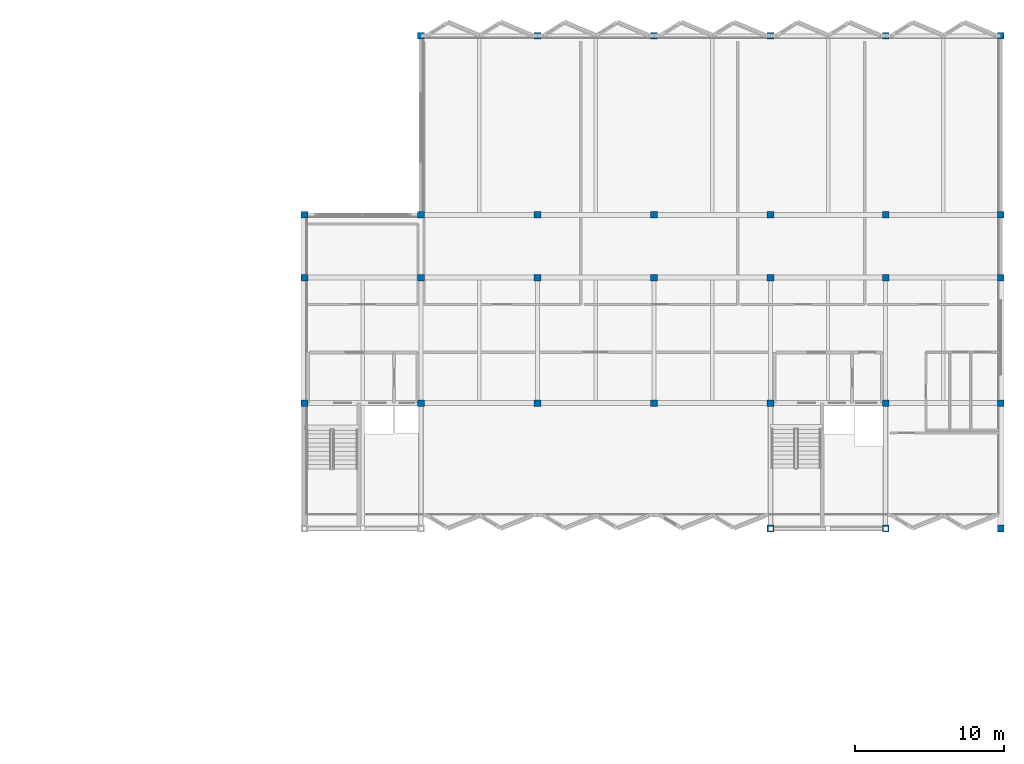
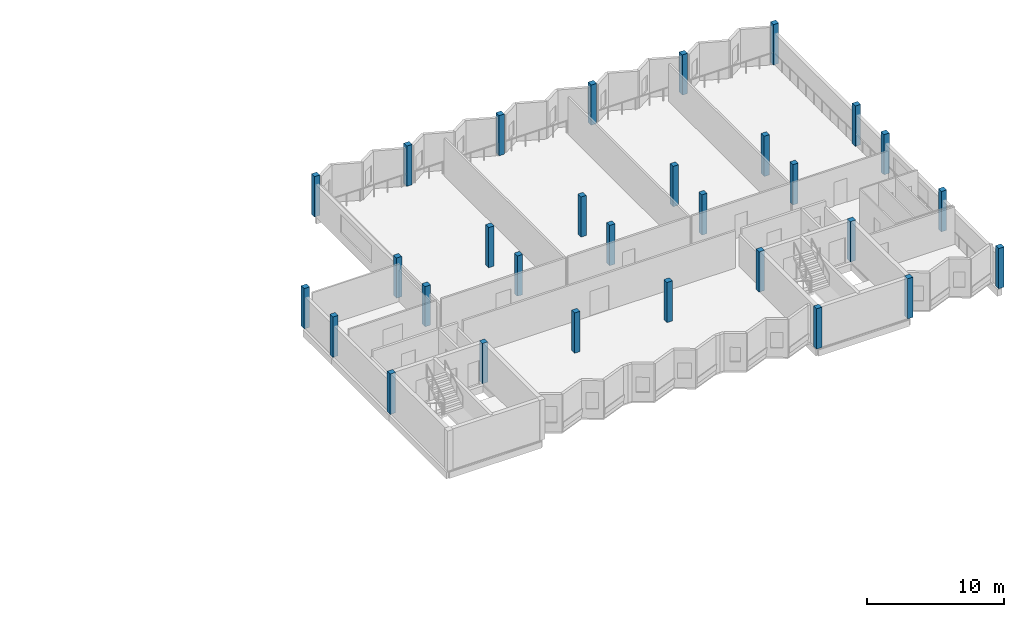
# One storey, part 2 of 25: 30 columns.
"""IFC4 building model written with IfcOpenShell, lengths in metres."""

from ifc_helpers import new_model, si_unit, direction, frame, origin, origin_2d, place, context, subcontext, project, spatial, rectangle, extrude, material, material_profile, profile_set, type_object, element, save


model = new_model("IFC4")

# Units and contexts
model_context = context("Model", 3, precision=1e-05, world=origin(), true_north=direction((0.0, 1.0)))
body_context = subcontext(model_context, "Body", "Model", "MODEL_VIEW")
ifc_project = project(units=[si_unit("LENGTHUNIT", "METRE"), si_unit("AREAUNIT", "SQUARE_METRE"), si_unit("VOLUMEUNIT", "CUBIC_METRE"), si_unit("PLANEANGLEUNIT", "RADIAN"), si_unit("MASSUNIT", "GRAM", prefix="KILO")], contexts=[model_context])

# Site, building, storey
site_placement = place(None, origin())
site = spatial("IfcSite", under=ifc_project, at=site_placement, CompositionType="ELEMENT")
building_placement = place(site_placement, origin())
building = spatial("IfcBuilding", under=site, at=building_placement, Name="Vharandega Faculty of Natural Sciences", CompositionType="ELEMENT")
storey_placement = place(building_placement, frame((0.0, 0.0, 25.199951171875)))
storey = spatial("IfcBuildingStorey", under=building, at=storey_placement, Name="L06", CompositionType="ELEMENT", Elevation=25.199951171875)

# Columns
ifc_material = material(Name="Glulam GL32h", Category="wood")
ifc_material_profile = material_profile(ifc_material, rectangle(XDim=0.449951171875, YDim=0.449951171875, at=origin_2d()), Name="GL32h 450x450")
ifc_profile_set = profile_set([ifc_material_profile], Name="Glulam GL32h")
column_type = type_object("IfcColumnType", Name="Glulam Column 450x450", PredefinedType="COLUMN", material=ifc_profile_set)
for number, where, z_axis, x_axis, name in (
    (1, (114.800048828125, 72.39990234375, 0.0), (0.0, 0.0, 1.0), (1.0, 0.0, 0.0), "Column 15/K L06"),
    (2, (114.800048828125, 80.800048828125, 0.0), (0.0, 0.0, 1.0), (1.0, 0.0, 0.0), "Column 15/L L06"),
    (3, (114.800048828125, 85.0, 0.0), (0.0, 0.0, 1.0), (1.0, 0.0, 0.0), "Column 15/M L06"),
    (4, (122.60009765625, 72.39990234375, 0.0), (0.0, 0.0, 1.0), (1.0, 0.0, 0.0), "Column 16/K L06"),
    (5, (122.60009765625, 80.800048828125, 0.0), (0.0, 0.0, 1.0), (1.0, 0.0, 0.0), "Column 16/L L06"),
    (6, (122.60009765625, 85.0, 0.0), (0.0, 0.0, 1.0), (1.0, 0.0, 0.0), "Column 16/M L06"),
    (7, (122.60009765625, 97.0, 0.0), (0.0, 0.0, 1.0), (1.0, 0.0, 0.0), "Column 16/N L06"),
    (8, (130.39990234375, 72.39990234375, 0.0), (0.0, 0.0, 1.0), (1.0, 0.0, 0.0), "Column 17/K L06"),
    (9, (130.39990234375, 80.800048828125, 0.0), (0.0, 0.0, 1.0), (1.0, 0.0, 0.0), "Column 17/L L06"),
    (10, (130.39990234375, 85.0, 0.0), (0.0, 0.0, 1.0), (1.0, 0.0, 0.0), "Column 17/M L06"),
    (11, (130.39990234375, 97.0, 0.0), (0.0, 0.0, 1.0), (1.0, 0.0, 0.0), "Column 17/N L06"),
    (12, (138.199951171875, 72.39990234375, 0.0), (0.0, 0.0, 1.0), (1.0, 0.0, 0.0), "Column 18/K L06"),
    (13, (138.199951171875, 80.800048828125, 0.0), (0.0, 0.0, 1.0), (1.0, 0.0, 0.0), "Column 18/L L06"),
    (14, (138.199951171875, 85.0, 0.0), (0.0, 0.0, 1.0), (1.0, 0.0, 0.0), "Column 18/M L06"),
    (15, (138.199951171875, 97.0, 0.0), (0.0, 0.0, 1.0), (1.0, 0.0, 0.0), "Column 18/N L06"),
    (16, (146.0, 64.0, 0.0), (0.0, 0.0, 1.0), (1.0, 0.0, 0.0), "Column 19/J L06"),
    (17, (146.0, 72.39990234375, 0.0), (0.0, 0.0, 1.0), (1.0, 0.0, 0.0), "Column 19/K L06"),
    (18, (146.0, 80.800048828125, 0.0), (0.0, 0.0, 1.0), (1.0, 0.0, 0.0), "Column 19/L L06"),
    (19, (146.0, 85.0, 0.0), (0.0, 0.0, 1.0), (1.0, 0.0, 0.0), "Column 19/M L06"),
    (20, (146.0, 97.0, 0.0), (0.0, 0.0, 1.0), (1.0, 0.0, 0.0), "Column 19/N L06"),
    (21, (153.699951171875, 64.0, 0.0), (0.0, 0.0, 1.0), (1.0, 0.0, 0.0), "Column 20/J L06"),
    (22, (153.699951171875, 72.39990234375, 0.0), (0.0, 0.0, 1.0), (1.0, 0.0, 0.0), "Column 20/K L06"),
    (23, (153.699951171875, 80.800048828125, 0.0), (0.0, 0.0, 1.0), (1.0, 0.0, 0.0), "Column 20/L L06"),
    (24, (153.699951171875, 85.0, 0.0), (0.0, 0.0, 1.0), (1.0, 0.0, 0.0), "Column 20/M L06"),
    (25, (153.699951171875, 97.0, 0.0), (0.0, 0.0, 1.0), (1.0, 0.0, 0.0), "Column 20/N L06"),
    (26, (161.39990234375, 64.0, 0.0), (0.0, 0.0, 1.0), (1.0, 0.0, 0.0), "Column 21/J L06"),
    (27, (161.39990234375, 72.39990234375, 0.0), (0.0, 0.0, 1.0), (1.0, 0.0, 0.0), "Column 21/K L06"),
    (28, (161.39990234375, 80.800048828125, 0.0), (0.0, 0.0, 1.0), (1.0, 0.0, 0.0), "Column 21/L L06"),
    (29, (161.39990234375, 85.0, 0.0), (0.0, 0.0, 1.0), (1.0, 0.0, 0.0), "Column 21/M L06"),
    (30, (161.39990234375, 97.0, 0.0), (0.0, 0.0, 1.0), (1.0, 0.0, 0.0), "Column 21/N L06"),
):
    element("IfcColumn", number, at=place(storey_placement, frame(where, z_axis=z_axis, x_axis=x_axis)), inside=storey, type_object=column_type, Name=name, PredefinedType="COLUMN", context=body_context, shape_type="SweptSolid", body=[
        extrude(rectangle(XDim=0.449951171875, YDim=0.449951171875, at=origin_2d()), origin(), (0.0, 0.0, 1.0), 3.60009765625),
    ])

save(model, "model.ifc")
